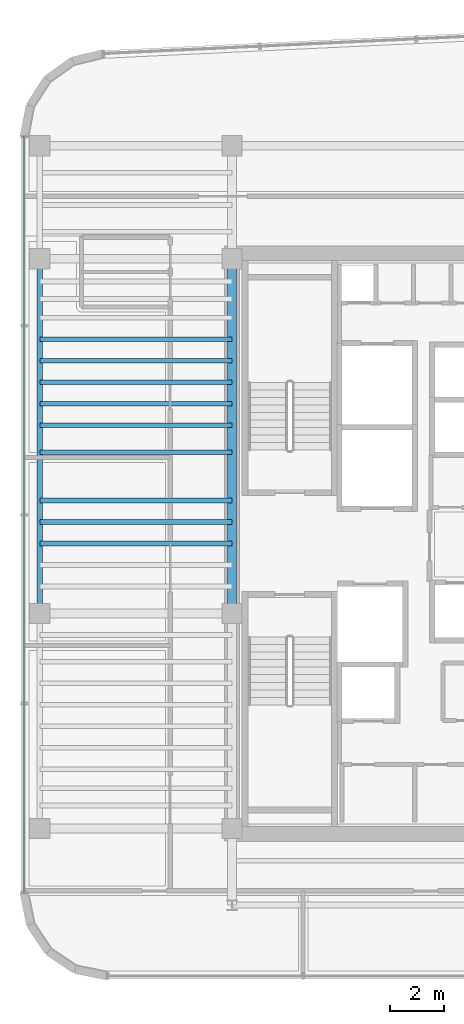
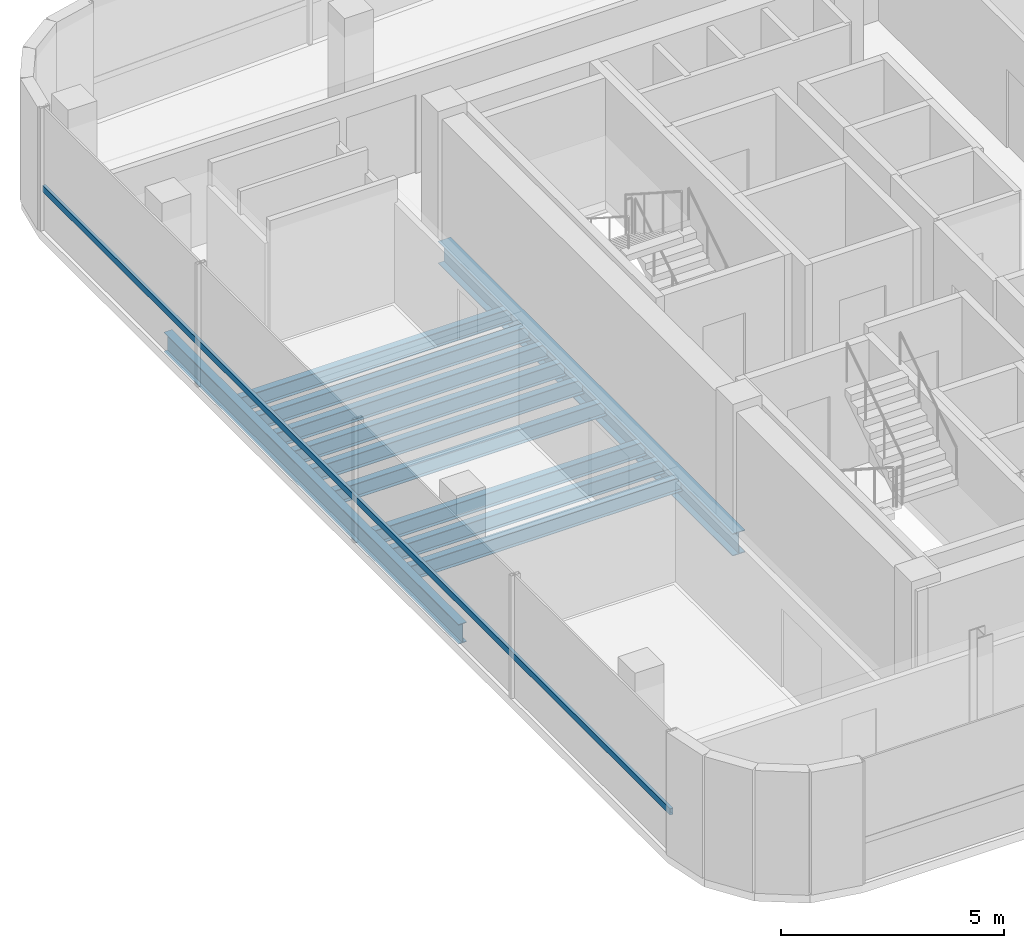
# One storey, part 6 of 17: 11 beams, 1 member, 1 element without a shape of its own.
"""IFC4 building model written with IfcOpenShell, lengths in metres."""

from ifc_helpers import new_model, si_unit, direction, frame, origin, origin_2d, place, context, subcontext, project, spatial, hollow_rectangle, i_section, extrude, source, transform, mapped, material, material_profile, profile_set, type_object, element, aggregate, save


model = new_model("IFC4")

# Units and contexts
model_context = context("Model", 3, precision=1e-05, world=origin(), true_north=direction((0.0, 1.0)))
body_context = subcontext(model_context, "Body", "Model", "MODEL_VIEW")
ifc_project = project(units=[si_unit("LENGTHUNIT", "METRE"), si_unit("AREAUNIT", "SQUARE_METRE"), si_unit("VOLUMEUNIT", "CUBIC_METRE"), si_unit("PLANEANGLEUNIT", "RADIAN"), si_unit("MASSUNIT", "GRAM", prefix="KILO")], contexts=[model_context])

# Site, building, storey
site_placement = place(None, origin())
site = spatial("IfcSite", under=ifc_project, at=site_placement, CompositionType="ELEMENT")
building_placement = place(site_placement, origin())
building = spatial("IfcBuilding", under=site, at=building_placement, Name="Valdorenza Pilgrim Sanctuary Tower", CompositionType="ELEMENT")
storey_placement = place(building_placement, frame((0.0, 0.0, 287.0)))
storey = spatial("IfcBuildingStorey", under=building, at=storey_placement, Name="L75", CompositionType="ELEMENT", Elevation=287.0)

# Beams
ifc_material_1 = material(Name="Steel ASTM A992 Grade 50", Category="steel")
ifc_material_profile_1 = material_profile(ifc_material_1, i_section(OverallWidth=0.323974609375, OverallDepth=0.611083984375, WebThickness=0.0126953125, FlangeThickness=0.01904296875, at=origin_2d()), Name="W24X104")
ifc_profile_set_1 = profile_set([ifc_material_profile_1], Name="Steel ASTM A992 Grade 50")
beam_type_1 = type_object("IfcBeamType", Name="STR-BM-GRD-W24B", PredefinedType="BEAM", material=ifc_profile_set_1)
shared_shape_1 = source(origin(), body_context, "Body", "SweptSolid", [
    extrude(i_section(OverallWidth=0.323974609375, OverallDepth=0.611083984375, WebThickness=0.0126953125, FlangeThickness=0.01904296875, at=origin_2d()), origin(), (0.0, 0.0, 1.0), 13.2001953125),
])
beam_1_placement = place(storey_placement, frame((-22.64990234375, -2.60009765625, -0.54541015625), z_axis=(0.0, 1.0, 0.0), x_axis=(-1.0, 0.0, 0.0)))
element("IfcBeam", 1, at=beam_1_placement, inside=storey, type_object=beam_type_1, Name="L75 Core Tie Girder CA-W-M0N1", PredefinedType="BEAM", context=body_context, shape_type="MappedRepresentation", body=[
    mapped(shared_shape_1, transform((0.0, 0.0, 0.0), x_axis=(1.0, 0.0, 0.0), y_axis=(0.0, 1.0, 0.0), z_axis=(0.0, 0.0, 1.0), scale=1.0)),
])
ifc_material_profile_2 = material_profile(ifc_material_1, i_section(OverallWidth=0.2109375, OverallDepth=0.5390625, WebThickness=0.01171875, FlangeThickness=0.018798828125, at=origin_2d()), Name="W21X73")
ifc_profile_set_2 = profile_set([ifc_material_profile_2], Name="Steel ASTM A992 Grade 50")
beam_type_2 = type_object("IfcBeamType", Name="STR-BM-SPN-W21B", PredefinedType="SPANDREL", material=ifc_profile_set_2)
shared_shape_2 = source(origin(), body_context, "Body", "SweptSolid", [
    extrude(i_section(OverallWidth=0.2109375, OverallDepth=0.5390625, WebThickness=0.01171875, FlangeThickness=0.018798828125, at=origin_2d()), origin(), (0.0, 0.0, 1.0), 13.2001953125),
])
beam_2_placement = place(storey_placement, frame((-29.800048828125, -2.60009765625, -0.509521484375), z_axis=(0.0, 1.0, 0.0), x_axis=(-1.0, 0.0, 0.0)))
element("IfcBeam", 2, at=beam_2_placement, inside=storey, type_object=beam_type_2, Name="L75 Spandrel Beam WA-W-M0N1", PredefinedType="SPANDREL", context=body_context, shape_type="MappedRepresentation", body=[
    mapped(shared_shape_2, transform((0.0, 0.0, 0.0), x_axis=(1.0, 0.0, 0.0), y_axis=(0.0, 1.0, 0.0), z_axis=(0.0, 0.0, 1.0), scale=1.0)),
])
ifc_material_profile_3 = material_profile(ifc_material_1, i_section(OverallWidth=0.177978515625, OverallDepth=0.406005859375, WebThickness=0.0078125, FlangeThickness=0.0126953125, at=origin_2d()), Name="W16X40")
ifc_profile_set_3 = profile_set([ifc_material_profile_3], Name="Steel ASTM A992 Grade 50")
beam_type_3 = type_object("IfcBeamType", Name="STR-BM-JST-W16", PredefinedType="JOIST", material=ifc_profile_set_3)
shared_shape_3 = source(origin(), body_context, "Body", "SweptSolid", [
    extrude(i_section(OverallWidth=0.177978515625, OverallDepth=0.406005859375, WebThickness=0.0078125, FlangeThickness=0.0126953125, at=origin_2d()), origin(), (0.0, 0.0, 1.0), 7.150146484375),
])
for number, where, z_axis, x_axis, name in (
    (3, (-29.800048828125, 0.0, -0.443115234375), (1.0, 0.0, 0.0), (0.0, 1.0, 0.0), "L75 Composite Floor Joist JST-WA-12"),
    (4, (-29.800048828125, 0.800048828125, -0.443115234375), (1.0, 0.0, 0.0), (0.0, 1.0, 0.0), "L75 Composite Floor Joist JST-WA-13"),
    (5, (-29.800048828125, 1.60009765625, -0.443115234375), (1.0, 0.0, 0.0), (0.0, 1.0, 0.0), "L75 Composite Floor Joist JST-WA-14"),
    (6, (-29.800048828125, 3.39990234375, -0.443115234375), (1.0, 0.0, 0.0), (0.0, 1.0, 0.0), "L75 Composite Floor Joist JST-WA-15"),
    (7, (-29.800048828125, 4.39990234375, -0.443115234375), (1.0, 0.0, 0.0), (0.0, 1.0, 0.0), "L75 Composite Floor Joist JST-WA-16"),
    (8, (-29.800048828125, 5.199951171875, -0.443115234375), (1.0, 0.0, 0.0), (0.0, 1.0, 0.0), "L75 Composite Floor Joist JST-WA-17"),
    (9, (-29.800048828125, 6.0, -0.443115234375), (1.0, 0.0, 0.0), (0.0, 1.0, 0.0), "L75 Composite Floor Joist JST-WA-18"),
    (10, (-29.800048828125, 6.800048828125, -0.443115234375), (1.0, 0.0, 0.0), (0.0, 1.0, 0.0), "L75 Composite Floor Joist JST-WA-19"),
    (11, (-29.800048828125, 7.60009765625, -0.443115234375), (1.0, 0.0, 0.0), (0.0, 1.0, 0.0), "L75 Composite Floor Joist JST-WA-20"),
):
    element("IfcBeam", number, at=place(storey_placement, frame(where, z_axis=z_axis, x_axis=x_axis)), inside=storey, type_object=beam_type_3, Name=name, PredefinedType="JOIST", context=body_context, shape_type="MappedRepresentation", body=[
        mapped(shared_shape_3, transform((0.0, 0.0, 0.0), x_axis=(1.0, 0.0, 0.0), y_axis=(0.0, 1.0, 0.0), z_axis=(0.0, 0.0, 1.0), scale=1.0)),
    ])

# Curtain wall, member
ifc_material_2 = material(Name="Curtain-wall IGU glazing", Category="glass")
curtain_wall_type = type_object("IfcCurtainWallType", Name="CW-SYS-04", PredefinedType="NOTDEFINED", material=ifc_material_2)
curtain_wall_placement = place(storey_placement, origin())
curtain_wall = element("IfcCurtainWall", 12, at=curtain_wall_placement, inside=storey, type_object=curtain_wall_type, Name="L75 Curtain Wall CW-L75-1-1", PredefinedType="NOTDEFINED")
ifc_material_3 = material(Name="Anodised aluminium AW-6060", Category="aluminium")
ifc_material_profile_4 = material_profile(ifc_material_3, hollow_rectangle(XDim=0.080078125, YDim=0.169921875, WallThickness=0.00390625, at=origin_2d()), Name="ALU-T 170x80x4")
ifc_profile_set_4 = profile_set([ifc_material_profile_4], Name="Anodised aluminium AW-6060")
member_type = type_object("IfcMemberType", Name="CW-TRN-04", PredefinedType="USERDEFINED", material=ifc_profile_set_4)
shared_shape_4 = source(origin(), body_context, "Body", "SweptSolid", [
    extrude(hollow_rectangle(XDim=0.080078125, YDim=0.169921875, WallThickness=0.00390625, at=origin_2d()), origin(), (0.0, 0.0, 1.0), 28.1259765625),
])
member_placement = place(storey_placement, frame((-30.389892578125, -12.9892578125, 1.1201171875), z_axis=(0.0, 1.0, 0.0), x_axis=(-1.0, 0.0, 0.0)))
member = element("IfcMember", 13, at=member_placement, type_object=member_type, Name="CW-L75-1-1 Transom 1", ObjectType="TRANSOM", PredefinedType="USERDEFINED", context=body_context, shape_type="MappedRepresentation", body=[
    mapped(shared_shape_4, transform((0.0, 0.0, 0.0), x_axis=(1.0, 0.0, 0.0), y_axis=(0.0, 1.0, 0.0), z_axis=(0.0, 0.0, 1.0), scale=1.0)),
])
aggregate(curtain_wall, [member])

save(model, "model.ifc")
